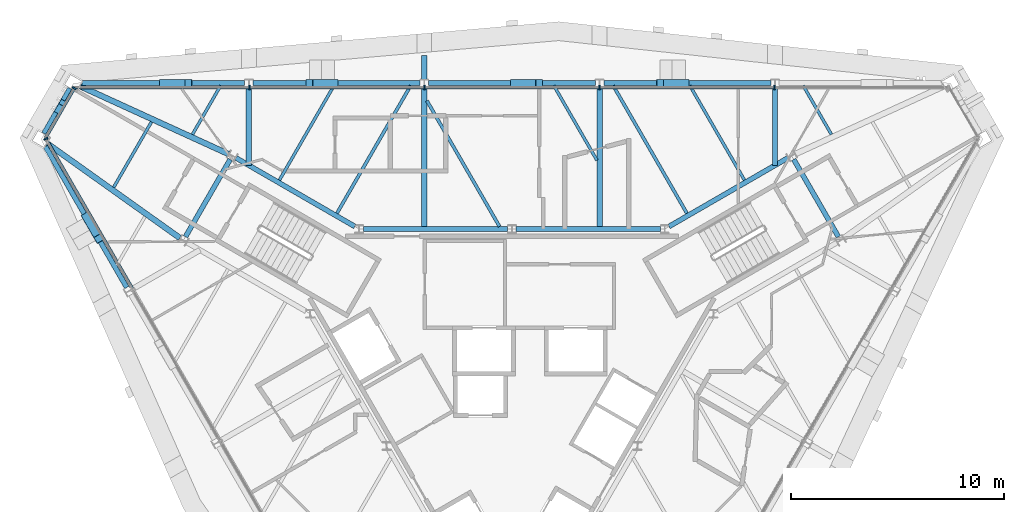
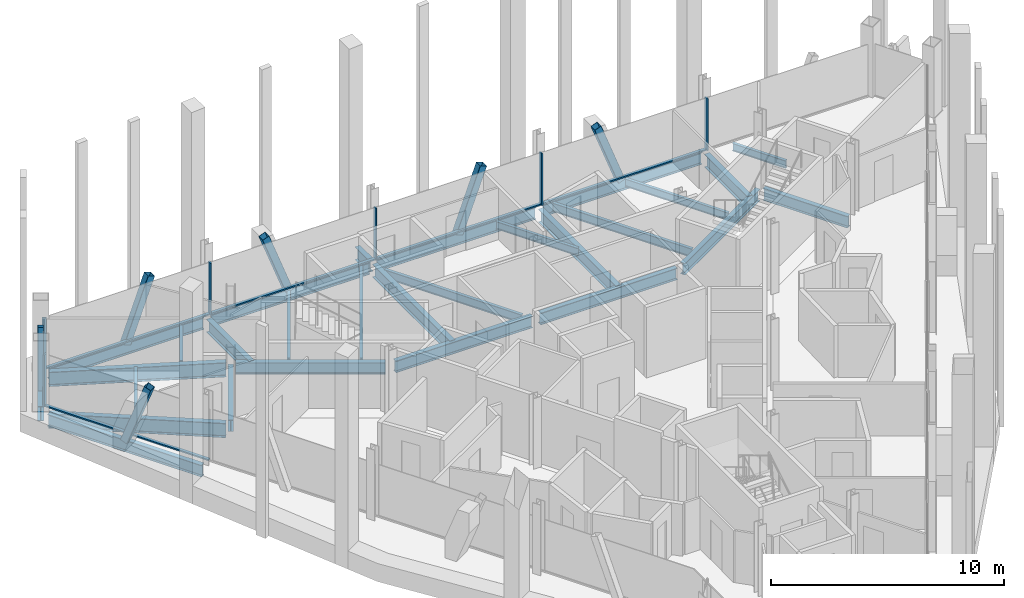
# One storey, part 5 of 13: 28 beams, 18 members, 3 elements without a shape of their own.
"""IFC4 building model written with IfcOpenShell, lengths in metres."""

from ifc_helpers import new_model, si_unit, direction, frame, origin, origin_2d, place, context, subcontext, project, spatial, rectangle, hollow_rectangle, i_section, extrude, material, material_profile, profile_set, type_object, element, aggregate, save


model = new_model("IFC4")

# Units and contexts
model_context = context("Model", 3, precision=1e-05, world=origin(), true_north=direction((0.0, 1.0)))
body_context = subcontext(model_context, "Body", "Model", "MODEL_VIEW")
ifc_project = project(units=[si_unit("LENGTHUNIT", "METRE"), si_unit("AREAUNIT", "SQUARE_METRE"), si_unit("VOLUMEUNIT", "CUBIC_METRE"), si_unit("PLANEANGLEUNIT", "RADIAN"), si_unit("MASSUNIT", "GRAM", prefix="KILO")], contexts=[model_context])

# Site, building, storey
site_placement = place(None, origin())
site = spatial("IfcSite", under=ifc_project, at=site_placement, CompositionType="ELEMENT")
building_placement = place(site_placement, origin())
building = spatial("IfcBuilding", under=site, at=building_placement, Name="Verrane Prism Tower", CompositionType="ELEMENT")
storey_placement = place(building_placement, frame((0.0, 0.0, 275.10009765625)))
storey = spatial("IfcBuildingStorey", under=building, at=storey_placement, Name="L69", CompositionType="ELEMENT", Elevation=275.10009765625)

# Member
ifc_material_1 = material(Name="Steel A500 Grade C", Category="steel")
ifc_material_profile_1 = material_profile(ifc_material_1, hollow_rectangle(XDim=0.25390625, YDim=0.25390625, WallThickness=0.009521484375, InnerFilletRadius=0.0048828125, OuterFilletRadius=0.014404296875, at=origin_2d()), Name="HSS10x10x3/8")
ifc_profile_set_1 = profile_set([ifc_material_profile_1], Name="Steel A500 Grade C")
member_type_1 = type_object("IfcMemberType", Name="Chamfer brace HSS10x10x3/8", PredefinedType="BRACE", material=ifc_profile_set_1)
member_1_placement = place(storey_placement, frame((-21.339599609375, 12.3701171875, -0.24267578125), z_axis=(0.067784448094, 0.117358148939, 0.990773603541), x_axis=(-0.865936922628, 0.500153222552, 0.0)))
element("IfcMember", 1, at=member_1_placement, inside=storey, type_object=member_type_1, Name="Chamfer brace NW0 L69", PredefinedType="BRACE", context=body_context, shape_type="SweptSolid", body=[
    extrude(hollow_rectangle(XDim=0.25390625, YDim=0.25390625, WallThickness=0.009521484375, InnerFilletRadius=0.0048828125, OuterFilletRadius=0.014404296875, at=origin_2d()), origin(), (0.0, 0.0, 1.0), 3.13720703125),
])

# Beams
ifc_material_2 = material(Name="Steel A992", Category="steel")
ifc_material_profile_2 = material_profile(ifc_material_2, i_section(OverallWidth=0.2666015625, OverallDepth=0.7568359375, WebThickness=0.013916015625, FlangeThickness=0.019287109375, FilletRadius=0.0166015625, at=origin_2d()), Name="W30x108")
ifc_profile_set_2 = profile_set([ifc_material_profile_2], Name="Steel A992")
beam_type_1 = type_object("IfcBeamType", Name="Chamfer spandrel beam W30x108", PredefinedType="SPANDREL", material=ifc_profile_set_2)
beam_1_placement = place(storey_placement, frame((-20.75, 13.390380859375, -0.53857421875), z_axis=(-0.500436097356, -0.865773476415, 0.0), x_axis=(0.865773476415, -0.500436097356, 0.0)))
element("IfcBeam", 2, at=beam_1_placement, inside=storey, type_object=beam_type_1, Name="Chamfer spandrel beam L69", PredefinedType="SPANDREL", context=body_context, shape_type="SweptSolid", body=[
    extrude(i_section(OverallWidth=0.2666015625, OverallDepth=0.7568359375, WebThickness=0.013916015625, FlangeThickness=0.019287109375, FilletRadius=0.0166015625, at=origin_2d()), origin(), (0.0, 0.0, 1.0), 2.437744140625),
])
ifc_material_3 = material(Name="Steel A992", Category="steel")
ifc_material_profile_3 = material_profile(ifc_material_3, i_section(OverallWidth=0.23046875, OverallDepth=0.6171875, WebThickness=0.01318359375, FlangeThickness=0.022216796875, FilletRadius=0.012939453125, at=origin_2d()), Name="W24x94")
ifc_profile_set_3 = profile_set([ifc_material_profile_3], Name="Steel A992")
beam_type_2 = type_object("IfcBeamType", Name="Core ring girder W24x94", PredefinedType="BEAM", material=ifc_profile_set_3)
beam_2_placement = place(storey_placement, frame((15.339599609375, 6.43359375, -0.55859375), z_axis=(-0.500306681185, 0.865848268903, 0.0), x_axis=(-0.865848268903, -0.500306681185, 0.0)))
element("IfcBeam", 3, at=beam_2_placement, inside=storey, type_object=beam_type_2, Name="Core ring girder L69", PredefinedType="BEAM", context=body_context, shape_type="SweptSolid", body=[
    extrude(i_section(OverallWidth=0.23046875, OverallDepth=0.6171875, WebThickness=0.01318359375, FlangeThickness=0.022216796875, FilletRadius=0.012939453125, at=origin_2d()), origin(), (0.0, 0.0, 1.0), 4.195556640625),
])
beam_3_placement = place(storey_placement, frame((12.96728515625, 10.140380859375, -0.55859375), z_axis=(-0.866080992722, -0.499903704773, 0.0), x_axis=(0.499903704773, -0.866080992722, 0.0)))
element("IfcBeam", 4, at=beam_3_placement, inside=storey, type_object=beam_type_2, Name="Core ring girder L69", PredefinedType="BEAM", context=body_context, shape_type="SweptSolid", body=[
    extrude(i_section(OverallWidth=0.23046875, OverallDepth=0.6171875, WebThickness=0.01318359375, FlangeThickness=0.022216796875, FilletRadius=0.012939453125, at=origin_2d()), origin(), (0.0, 0.0, 1.0), 6.451904296875),
])
for number, where, z_axis, x_axis, name in (
    (5, (6.980712890625, 6.800048828125, -0.55859375), (-1.0, 0.0, 0.0), (0.0, -1.0, 0.0), "Core ring girder L69"),
    (6, (-0.199462890625, 6.800048828125, -0.55859375), (-1.0, 0.0, 0.0), (0.0, -1.0, 0.0), "Core ring girder L69"),
):
    element("IfcBeam", number, at=place(storey_placement, frame(where, z_axis=z_axis, x_axis=x_axis)), inside=storey, type_object=beam_type_2, Name=name, PredefinedType="BEAM", context=body_context, shape_type="SweptSolid", body=[
        extrude(i_section(OverallWidth=0.23046875, OverallDepth=0.6171875, WebThickness=0.01318359375, FlangeThickness=0.022216796875, FilletRadius=0.012939453125, at=origin_2d()), origin(), (0.0, 0.0, 1.0), 6.78125),
    ])
beam_4_placement = place(storey_placement, frame((-7.37939453125, 6.9150390625, -0.55859375), z_axis=(-0.866080992722, 0.499903704773, 0.0), x_axis=(-0.499903704773, -0.866080992722, 0.0)))
element("IfcBeam", 7, at=beam_4_placement, inside=storey, type_object=beam_type_2, Name="Core ring girder L69", PredefinedType="BEAM", context=body_context, shape_type="SweptSolid", body=[
    extrude(i_section(OverallWidth=0.23046875, OverallDepth=0.6171875, WebThickness=0.01318359375, FlangeThickness=0.022216796875, FilletRadius=0.012939453125, at=origin_2d()), origin(), (0.0, 0.0, 1.0), 6.451904296875),
])
beam_5_placement = place(storey_placement, frame((-13.240478515625, 10.06640625, -0.55859375), z_axis=(-0.500306681185, -0.865848268903, 0.0), x_axis=(0.865848268903, -0.500306681185, 0.0)))
element("IfcBeam", 8, at=beam_5_placement, inside=storey, type_object=beam_type_2, Name="Core ring girder L69", PredefinedType="BEAM", context=body_context, shape_type="SweptSolid", body=[
    extrude(i_section(OverallWidth=0.23046875, OverallDepth=0.6171875, WebThickness=0.01318359375, FlangeThickness=0.022216796875, FilletRadius=0.012939453125, at=origin_2d()), origin(), (0.0, 0.0, 1.0), 4.195556640625),
])
ifc_material_4 = material(Name="Steel A992", Category="steel")
ifc_material_profile_4 = material_profile(ifc_material_4, i_section(OverallWidth=0.2666015625, OverallDepth=0.7568359375, WebThickness=0.013916015625, FlangeThickness=0.019287109375, FilletRadius=0.0166015625, at=origin_2d()), Name="W30x108")
ifc_profile_set_4 = profile_set([ifc_material_profile_4], Name="Steel A992")
beam_type_3 = type_object("IfcBeamType", Name="Corner girder W30x108", PredefinedType="BEAM", material=ifc_profile_set_4)
for number, where, z_axis, x_axis, name in (
    (9, (-20.2802734375, 13.50390625, -0.5986328125), (0.909481370613, -0.415744677065, 0.0), (0.415744677065, 0.909481370613, 0.0), "Corner girder L69"),
    (10, (-21.833740234375, 10.81591796875, -0.5986328125), (0.814401339816, -0.580302040067, 0.0), (0.580302040067, 0.814401339816, 0.0), "Corner girder L69"),
):
    element("IfcBeam", number, at=place(storey_placement, frame(where, z_axis=z_axis, x_axis=x_axis)), inside=storey, type_object=beam_type_3, Name=name, PredefinedType="BEAM", context=body_context, shape_type="SweptSolid", body=[
        extrude(i_section(OverallWidth=0.2666015625, OverallDepth=0.7568359375, WebThickness=0.013916015625, FlangeThickness=0.019287109375, FilletRadius=0.0166015625, at=origin_2d()), origin(), (0.0, 0.0, 1.0), 7.650634765625),
    ])

# Members
ifc_material_5 = material(Name="Steel A500 Grade C", Category="steel")
ifc_material_profile_5 = material_profile(ifc_material_5, hollow_rectangle(XDim=0.355712890625, YDim=0.355712890625, WallThickness=0.0126953125, InnerFilletRadius=0.00634765625, OuterFilletRadius=0.01904296875, at=origin_2d()), Name="HSS14x14x1/2")
ifc_profile_set_5 = profile_set([ifc_material_profile_5], Name="Steel A500 Grade C")
member_type_2 = type_object("IfcMemberType", Name="Facade brace HSS14x14x1/2", PredefinedType="BRACE", material=ifc_profile_set_5)
for number, where, z_axis, x_axis, name in (
    (11, (8.146484375, 13.64990234375, -0.216796875), (-0.347950987795, 0.0, 0.937512725296), (0.0, -1.0, 0.0), "Facade brace N1 L69"),
    (12, (0.093505859375, 13.64990234375, -0.216796875), (0.347950987795, 0.0, 0.937512725296), (0.0, 1.0, 0.0), "Facade brace N2 L69"),
    (13, (-8.33349609375, 13.64990234375, -0.216796875), (-0.347950987795, 0.0, 0.937512725296), (0.0, -1.0, 0.0), "Facade brace N3 L69"),
    (14, (-16.386474609375, 13.64990234375, -0.216796875), (0.347950987795, 0.0, 0.937512725296), (0.0, 1.0, 0.0), "Facade brace N4 L69"),
    (15, (-20.01318359375, 7.368896484375, -0.216796875), (0.173933329841, -0.301465343199, 0.937478449683), (0.866171884844, 0.499746201493, 0.0), "Facade brace SW0 L69"),
):
    element("IfcMember", number, at=place(storey_placement, frame(where, z_axis=z_axis, x_axis=x_axis)), inside=storey, type_object=member_type_2, Name=name, PredefinedType="BRACE", context=body_context, shape_type="SweptSolid", body=[
        extrude(hollow_rectangle(XDim=0.355712890625, YDim=0.355712890625, WallThickness=0.0126953125, InnerFilletRadius=0.00634765625, OuterFilletRadius=0.01904296875, at=origin_2d()), origin(), (0.0, 0.0, 1.0), 3.409423828125),
    ])

# Beams
ifc_material_6 = material(Name="Steel A992", Category="steel")
ifc_material_profile_6 = material_profile(ifc_material_6, i_section(OverallWidth=0.140380859375, OverallDepth=0.40380859375, WebThickness=0.007080078125, FlangeThickness=0.01123046875, FilletRadius=0.01025390625, at=origin_2d()), Name="W16x31")
ifc_profile_set_6 = profile_set([ifc_material_profile_6], Name="Steel A992")
beam_type_4 = type_object("IfcBeamType", Name="Floor beam W16x31", PredefinedType="BEAM", material=ifc_profile_set_6)
beam_6_placement = place(storey_placement, frame((15.01123046875, 11.2421875, -0.362060546875), z_axis=(-0.50007632508, 0.865981332994, 0.0), x_axis=(-0.865981332994, -0.50007632508, 0.0)))
element("IfcBeam", 16, at=beam_6_placement, inside=storey, type_object=beam_type_4, Name="Floor beam L69", PredefinedType="BEAM", context=body_context, shape_type="SweptSolid", body=[
    extrude(i_section(OverallWidth=0.140380859375, OverallDepth=0.40380859375, WebThickness=0.007080078125, FlangeThickness=0.01123046875, FilletRadius=0.01025390625, at=origin_2d()), origin(), (0.0, 0.0, 1.0), 2.6474609375),
])
beam_7_placement = place(storey_placement, frame((10.925048828125, 9.094482421875, -0.362060546875), z_axis=(-0.500005474671, 0.866022242959, 0.0), x_axis=(-0.866022242959, -0.500005474671, 0.0)))
element("IfcBeam", 17, at=beam_7_placement, inside=storey, type_object=beam_type_4, Name="Floor beam L69", PredefinedType="BEAM", context=body_context, shape_type="SweptSolid", body=[
    extrude(i_section(OverallWidth=0.140380859375, OverallDepth=0.40380859375, WebThickness=0.007080078125, FlangeThickness=0.01123046875, FilletRadius=0.01025390625, at=origin_2d()), origin(), (0.0, 0.0, 1.0), 5.12744140625),
])
beam_8_placement = place(storey_placement, frame((3.992919921875, 10.029296875, -0.362060546875), z_axis=(-0.499992196334, 0.866029909186, 0.0), x_axis=(-0.866029909186, -0.499992196334, 0.0)))
element("IfcBeam", 18, at=beam_8_placement, inside=storey, type_object=beam_type_4, Name="Floor beam L69", PredefinedType="BEAM", context=body_context, shape_type="SweptSolid", body=[
    extrude(i_section(OverallWidth=0.140380859375, OverallDepth=0.40380859375, WebThickness=0.007080078125, FlangeThickness=0.01123046875, FilletRadius=0.01025390625, at=origin_2d()), origin(), (0.0, 0.0, 1.0), 4.0478515625),
])
beam_9_placement = place(storey_placement, frame((-10.925048828125, 9.094482421875, -0.362060546875), z_axis=(0.500005474671, 0.866022242959, 0.0), x_axis=(-0.866022242959, 0.500005474671, 0.0)))
element("IfcBeam", 19, at=beam_9_placement, inside=storey, type_object=beam_type_4, Name="Floor beam L69", PredefinedType="BEAM", context=body_context, shape_type="SweptSolid", body=[
    extrude(i_section(OverallWidth=0.140380859375, OverallDepth=0.40380859375, WebThickness=0.007080078125, FlangeThickness=0.01123046875, FilletRadius=0.01025390625, at=origin_2d()), origin(), (0.0, 0.0, 1.0), 5.12744140625),
])
beam_10_placement = place(storey_placement, frame((-15.01123046875, 11.2421875, -0.362060546875), z_axis=(0.50007632508, 0.865981332994, 0.0), x_axis=(-0.865981332994, 0.50007632508, 0.0)))
element("IfcBeam", 20, at=beam_10_placement, inside=storey, type_object=beam_type_4, Name="Floor beam L69", PredefinedType="BEAM", context=body_context, shape_type="SweptSolid", body=[
    extrude(i_section(OverallWidth=0.140380859375, OverallDepth=0.40380859375, WebThickness=0.007080078125, FlangeThickness=0.01123046875, FilletRadius=0.01025390625, at=origin_2d()), origin(), (0.0, 0.0, 1.0), 2.6474609375),
])
beam_11_placement = place(storey_placement, frame((-18.712158203125, 8.755615234375, -0.362060546875), z_axis=(0.499986454343, 0.866033224232, 0.0), x_axis=(-0.866033224232, 0.499986454343, 0.0)))
element("IfcBeam", 21, at=beam_11_placement, inside=storey, type_object=beam_type_4, Name="Floor beam L69", PredefinedType="BEAM", context=body_context, shape_type="SweptSolid", body=[
    extrude(i_section(OverallWidth=0.140380859375, OverallDepth=0.40380859375, WebThickness=0.007080078125, FlangeThickness=0.01123046875, FilletRadius=0.01025390625, at=origin_2d()), origin(), (0.0, 0.0, 1.0), 3.548828125),
])
ifc_material_7 = material(Name="Steel A992", Category="steel")
ifc_material_profile_7 = material_profile(ifc_material_7, i_section(OverallWidth=0.15234375, OverallDepth=0.449462890625, WebThickness=0.007568359375, FlangeThickness=0.0107421875, FilletRadius=0.01025390625, at=origin_2d()), Name="W18x35")
ifc_profile_set_7 = profile_set([ifc_material_profile_7], Name="Steel A992")
beam_type_5 = type_object("IfcBeamType", Name="Floor beam W18x35", PredefinedType="BEAM", material=ifc_profile_set_7)
beam_12_placement = place(storey_placement, frame((8.22265625, 7.53466796875, -0.385009765625), z_axis=(-0.500012221024, 0.866018347858, 0.0), x_axis=(-0.866018347858, -0.500012221024, 0.0)))
element("IfcBeam", 22, at=beam_12_placement, inside=storey, type_object=beam_type_5, Name="Floor beam L69", PredefinedType="BEAM", context=body_context, shape_type="SweptSolid", body=[
    extrude(i_section(OverallWidth=0.15234375, OverallDepth=0.449462890625, WebThickness=0.007568359375, FlangeThickness=0.0107421875, FilletRadius=0.01025390625, at=origin_2d()), origin(), (0.0, 0.0, 1.0), 6.928466796875),
])
beam_13_placement = place(storey_placement, frame((-0.583251953125, 6.9150390625, -0.385009765625), z_axis=(-0.499997234054, 0.866027000698, 0.0), x_axis=(-0.866027000698, -0.499997234054, 0.0)))
element("IfcBeam", 23, at=beam_13_placement, inside=storey, type_object=beam_type_5, Name="Floor beam L69", PredefinedType="BEAM", context=body_context, shape_type="SweptSolid", body=[
    extrude(i_section(OverallWidth=0.15234375, OverallDepth=0.449462890625, WebThickness=0.007568359375, FlangeThickness=0.0107421875, FilletRadius=0.01025390625, at=origin_2d()), origin(), (0.0, 0.0, 1.0), 6.8193359375),
])
beam_14_placement = place(storey_placement, frame((-8.22265625, 7.53466796875, -0.385009765625), z_axis=(0.500012221024, 0.866018347858, 0.0), x_axis=(-0.866018347858, 0.500012221024, 0.0)))
element("IfcBeam", 24, at=beam_14_placement, inside=storey, type_object=beam_type_5, Name="Floor beam L69", PredefinedType="BEAM", context=body_context, shape_type="SweptSolid", body=[
    extrude(i_section(OverallWidth=0.15234375, OverallDepth=0.449462890625, WebThickness=0.007568359375, FlangeThickness=0.0107421875, FilletRadius=0.01025390625, at=origin_2d()), origin(), (0.0, 0.0, 1.0), 6.928466796875),
])

# Curtain wall, members
ifc_material_8 = material(Name="Aluminium framed insulated glazing", Category="aluminium")
curtain_wall_type = type_object("IfcCurtainWallType", Name="Curtain wall CW-A 8400 module", PredefinedType="NOTDEFINED", material=ifc_material_8)
curtain_wall_1_placement = place(storey_placement, origin())
curtain_wall_1 = element("IfcCurtainWall", 25, at=curtain_wall_1_placement, inside=storey, type_object=curtain_wall_type, Name="Glazed curtain wall north face L69", PredefinedType="NOTDEFINED")
ifc_material_9 = material(Name="Aluminium alloy 6063-T6", Category="aluminium")
ifc_material_profile_8 = material_profile(ifc_material_9, rectangle(XDim=0.199951171875, YDim=0.070068359375, at=origin_2d()), Name="Mullion 70x200 aluminium")
ifc_profile_set_8 = profile_set([ifc_material_profile_8], Name="Aluminium alloy 6063-T6")
member_type_3 = type_object("IfcMemberType", Name="Mullion 70x200 aluminium", PredefinedType="MULLION", material=ifc_profile_set_8)
member_2_placement = place(storey_placement, frame((12.32763671875, 13.447265625, 0.0), z_axis=(0.0, 0.0, 1.0), x_axis=(0.0, -1.0, 0.0)))
member_2 = element("IfcMember", 26, at=member_2_placement, type_object=member_type_3, Name="CW69.2 mullion 2", PredefinedType="MULLION", context=body_context, shape_type="SweptSolid", body=[
    extrude(rectangle(XDim=0.199951171875, YDim=0.070068359375, at=origin_2d()), origin(), (0.0, 0.0, 1.0), 2.722900390625),
])
member_3_placement = place(storey_placement, frame((4.109130859375, 13.447265625, 0.0), z_axis=(0.0, 0.0, 1.0), x_axis=(0.0, -1.0, 0.0)))
member_3 = element("IfcMember", 27, at=member_3_placement, type_object=member_type_3, Name="CW69.2 mullion 3", PredefinedType="MULLION", context=body_context, shape_type="SweptSolid", body=[
    extrude(rectangle(XDim=0.199951171875, YDim=0.070068359375, at=origin_2d()), origin(), (0.0, 0.0, 1.0), 2.722900390625),
])
member_4_placement = place(storey_placement, frame((-4.109130859375, 13.447265625, 0.0), z_axis=(0.0, 0.0, 1.0), x_axis=(0.0, -1.0, 0.0)))
member_4 = element("IfcMember", 28, at=member_4_placement, type_object=member_type_3, Name="CW69.2 mullion 4", PredefinedType="MULLION", context=body_context, shape_type="SweptSolid", body=[
    extrude(rectangle(XDim=0.199951171875, YDim=0.070068359375, at=origin_2d()), origin(), (0.0, 0.0, 1.0), 2.722900390625),
])
member_5_placement = place(storey_placement, frame((-12.32763671875, 13.447265625, 0.0), z_axis=(0.0, 0.0, 1.0), x_axis=(0.0, -1.0, 0.0)))
member_5 = element("IfcMember", 29, at=member_5_placement, type_object=member_type_3, Name="CW69.2 mullion 5", PredefinedType="MULLION", context=body_context, shape_type="SweptSolid", body=[
    extrude(rectangle(XDim=0.199951171875, YDim=0.070068359375, at=origin_2d()), origin(), (0.0, 0.0, 1.0), 2.722900390625),
])

# Curtain wall, member
curtain_wall_2_placement = place(storey_placement, origin())
curtain_wall_2 = element("IfcCurtainWall", 30, at=curtain_wall_2_placement, inside=storey, type_object=curtain_wall_type, Name="Glazed curtain wall north-west corner L69", PredefinedType="NOTDEFINED")
member_6_placement = place(storey_placement, frame((-20.563720703125, 13.4169921875, 0.0), z_axis=(0.0, 0.0, 1.0), x_axis=(0.866024225493, -0.500002040855, 0.0)))
member_6 = element("IfcMember", 31, at=member_6_placement, type_object=member_type_3, Name="CW69.3 mullion 1", PredefinedType="MULLION", context=body_context, shape_type="SweptSolid", body=[
    extrude(rectangle(XDim=0.199951171875, YDim=0.070068359375, at=origin_2d()), origin(), (0.0, 0.0, 1.0), 2.722900390625),
])

curtain_wall_3_placement = place(storey_placement, origin())
curtain_wall_3 = element("IfcCurtainWall", 32, at=curtain_wall_3_placement, inside=storey, type_object=curtain_wall_type, Name="Glazed curtain wall south-west face L69", PredefinedType="NOTDEFINED")
member_7_placement = place(storey_placement, frame((-21.901123046875, 11.03955078125, 0.0), z_axis=(0.0, 0.0, 1.0), x_axis=(0.866024861728, 0.500000938868, 0.0)))
member_7 = element("IfcMember", 33, at=member_7_placement, type_object=member_type_3, Name="CW69.4 mullion 1", PredefinedType="MULLION", context=body_context, shape_type="SweptSolid", body=[
    extrude(rectangle(XDim=0.199951171875, YDim=0.070068359375, at=origin_2d()), origin(), (0.0, 0.0, 1.0), 2.722900390625),
])

# Beams
ifc_material_10 = material(Name="Steel A992", Category="steel")
ifc_material_profile_9 = material_profile(ifc_material_10, i_section(OverallWidth=0.25390625, OverallDepth=0.683349609375, WebThickness=0.012451171875, FlangeThickness=0.01904296875, FilletRadius=0.01513671875, at=origin_2d()), Name="W27x94")
ifc_profile_set_9 = profile_set([ifc_material_profile_9], Name="Steel A992")
beam_type_6 = type_object("IfcBeamType", Name="Radial girder W27x94", PredefinedType="BEAM", material=ifc_profile_set_9)
beam_15_placement = place(storey_placement, frame((12.360107421875, 13.4619140625, -0.561767578125), z_axis=(0.0, -1.0, 0.0), x_axis=(1.0, 0.0, 0.0)))
element("IfcBeam", 34, at=beam_15_placement, inside=storey, type_object=beam_type_6, Name="Radial girder L69", PredefinedType="BEAM", context=body_context, shape_type="SweptSolid", body=[
    extrude(i_section(OverallWidth=0.25390625, OverallDepth=0.683349609375, WebThickness=0.012451171875, FlangeThickness=0.01904296875, FilletRadius=0.01513671875, at=origin_2d()), origin(), (0.0, 0.0, 1.0), 3.672119140625),
])
for number, where, z_axis, x_axis, name in (
    (35, (4.1201171875, 13.4619140625, -0.561767578125), (0.0, -1.0, 0.0), (1.0, 0.0, 0.0), "Radial girder L69"),
    (36, (-4.1201171875, 13.4619140625, -0.561767578125), (0.0, -1.0, 0.0), (1.0, 0.0, 0.0), "Radial girder L69"),
):
    element("IfcBeam", number, at=place(storey_placement, frame(where, z_axis=z_axis, x_axis=x_axis)), inside=storey, type_object=beam_type_6, Name=name, PredefinedType="BEAM", context=body_context, shape_type="SweptSolid", body=[
        extrude(i_section(OverallWidth=0.25390625, OverallDepth=0.683349609375, WebThickness=0.012451171875, FlangeThickness=0.01904296875, FilletRadius=0.01513671875, at=origin_2d()), origin(), (0.0, 0.0, 1.0), 6.661865234375),
    ])
beam_16_placement = place(storey_placement, frame((-12.360107421875, 13.4619140625, -0.561767578125), z_axis=(0.0, -1.0, 0.0), x_axis=(1.0, 0.0, 0.0)))
element("IfcBeam", 37, at=beam_16_placement, inside=storey, type_object=beam_type_6, Name="Radial girder L69", PredefinedType="BEAM", context=body_context, shape_type="SweptSolid", body=[
    extrude(i_section(OverallWidth=0.25390625, OverallDepth=0.683349609375, WebThickness=0.012451171875, FlangeThickness=0.01904296875, FilletRadius=0.01513671875, at=origin_2d()), origin(), (0.0, 0.0, 1.0), 3.672119140625),
])
beam_17_placement = place(storey_placement, frame((-4.1201171875, 13.833984375, -0.561767578125), z_axis=(0.0, 1.0, 0.0), x_axis=(-1.0, 0.0, 0.0)))
element("IfcBeam", 38, at=beam_17_placement, inside=storey, type_object=beam_type_6, Name="Cantilever girder L69", PredefinedType="BEAM", context=body_context, shape_type="SweptSolid", body=[
    extrude(i_section(OverallWidth=0.25390625, OverallDepth=0.683349609375, WebThickness=0.012451171875, FlangeThickness=0.01904296875, FilletRadius=0.01513671875, at=origin_2d()), origin(), (0.0, 0.0, 1.0), 1.126708984375),
])
ifc_material_11 = material(Name="Steel A992", Category="steel")
ifc_material_profile_10 = material_profile(ifc_material_11, i_section(OverallWidth=0.23046875, OverallDepth=0.6171875, WebThickness=0.01318359375, FlangeThickness=0.022216796875, FilletRadius=0.012939453125, at=origin_2d()), Name="W24x94")
ifc_profile_set_10 = profile_set([ifc_material_profile_10], Name="Steel A992")
beam_type_7 = type_object("IfcBeamType", Name="Spandrel beam W24x94", PredefinedType="SPANDREL", material=ifc_profile_set_10)
for number, where, z_axis, x_axis, name in (
    (39, (12.1630859375, 13.64990234375, -0.46875), (-1.0, 0.0, 0.0), (0.0, -1.0, 0.0), "Spandrel beam L69"),
    (40, (3.923095703125, 13.64990234375, -0.46875), (-1.0, 0.0, 0.0), (0.0, -1.0, 0.0), "Spandrel beam L69"),
    (41, (-4.31689453125, 13.64990234375, -0.46875), (-1.0, 0.0, 0.0), (0.0, -1.0, 0.0), "Spandrel beam L69"),
):
    element("IfcBeam", number, at=place(storey_placement, frame(where, z_axis=z_axis, x_axis=x_axis)), inside=storey, type_object=beam_type_7, Name=name, PredefinedType="SPANDREL", context=body_context, shape_type="SweptSolid", body=[
        extrude(i_section(OverallWidth=0.23046875, OverallDepth=0.6171875, WebThickness=0.01318359375, FlangeThickness=0.022216796875, FilletRadius=0.012939453125, at=origin_2d()), origin(), (0.0, 0.0, 1.0), 7.84619140625),
    ])
beam_18_placement = place(storey_placement, frame((-12.556884765625, 13.64990234375, -0.46875), z_axis=(-1.0, 0.0, 0.0), x_axis=(0.0, -1.0, 0.0)))
element("IfcBeam", 42, at=beam_18_placement, inside=storey, type_object=beam_type_7, Name="Spandrel beam L69", PredefinedType="SPANDREL", context=body_context, shape_type="SweptSolid", body=[
    extrude(i_section(OverallWidth=0.23046875, OverallDepth=0.6171875, WebThickness=0.01318359375, FlangeThickness=0.022216796875, FilletRadius=0.012939453125, at=origin_2d()), origin(), (0.0, 0.0, 1.0), 7.638916015625),
])
beam_19_placement = place(storey_placement, frame((-21.91796875, 10.669921875, -0.46875), z_axis=(0.499791590914, -0.866145695395, 0.0), x_axis=(0.866145695395, 0.499791590914, 0.0)))
element("IfcBeam", 43, at=beam_19_placement, inside=storey, type_object=beam_type_7, Name="Spandrel beam L69", PredefinedType="SPANDREL", context=body_context, shape_type="SweptSolid", body=[
    extrude(i_section(OverallWidth=0.23046875, OverallDepth=0.6171875, WebThickness=0.01318359375, FlangeThickness=0.022216796875, FilletRadius=0.012939453125, at=origin_2d()), origin(), (0.0, 0.0, 1.0), 7.642333984375),
])

# Member
ifc_material_12 = material(Name="Aluminium alloy 6063-T6", Category="aluminium")
ifc_material_profile_11 = material_profile(ifc_material_12, rectangle(XDim=0.14990234375, YDim=0.070068359375, at=origin_2d()), Name="Transom 70x150 aluminium")
ifc_profile_set_11 = profile_set([ifc_material_profile_11], Name="Aluminium alloy 6063-T6")
member_type_4 = type_object("IfcMemberType", Name="Transom 70x150 aluminium", PredefinedType="USERDEFINED", material=ifc_profile_set_11)
member_8_placement = place(storey_placement, frame((12.292724609375, 13.447265625, 0.034912109375), z_axis=(-1.0, 0.0, 0.0), x_axis=(0.0, -1.0, 0.0)))
member_8 = element("IfcMember", 44, at=member_8_placement, type_object=member_type_4, Name="CW69.2 transom 2", ObjectType="TRANSOM", PredefinedType="USERDEFINED", context=body_context, shape_type="SweptSolid", body=[
    extrude(rectangle(XDim=0.14990234375, YDim=0.070068359375, at=origin_2d()), origin(), (0.0, 0.0, 1.0), 8.1484375),
])

member_9_placement = place(storey_placement, frame((4.07421875, 13.447265625, 0.034912109375), z_axis=(-1.0, 0.0, 0.0), x_axis=(0.0, -1.0, 0.0)))
member_9 = element("IfcMember", 45, at=member_9_placement, type_object=member_type_4, Name="CW69.2 transom 3", ObjectType="TRANSOM", PredefinedType="USERDEFINED", context=body_context, shape_type="SweptSolid", body=[
    extrude(rectangle(XDim=0.14990234375, YDim=0.070068359375, at=origin_2d()), origin(), (0.0, 0.0, 1.0), 8.1484375),
])

member_10_placement = place(storey_placement, frame((-4.144287109375, 13.447265625, 0.034912109375), z_axis=(-1.0, 0.0, 0.0), x_axis=(0.0, -1.0, 0.0)))
member_10 = element("IfcMember", 46, at=member_10_placement, type_object=member_type_4, Name="CW69.2 transom 4", ObjectType="TRANSOM", PredefinedType="USERDEFINED", context=body_context, shape_type="SweptSolid", body=[
    extrude(rectangle(XDim=0.14990234375, YDim=0.070068359375, at=origin_2d()), origin(), (0.0, 0.0, 1.0), 8.1484375),
])

member_11_placement = place(storey_placement, frame((-12.362548828125, 13.447265625, 0.034912109375), z_axis=(-1.0, 0.0, 0.0), x_axis=(0.0, -1.0, 0.0)))
member_11 = element("IfcMember", 47, at=member_11_placement, type_object=member_type_4, Name="CW69.2 transom 5", ObjectType="TRANSOM", PredefinedType="USERDEFINED", context=body_context, shape_type="SweptSolid", body=[
    extrude(rectangle(XDim=0.14990234375, YDim=0.070068359375, at=origin_2d()), origin(), (0.0, 0.0, 1.0), 8.18359375),
])

aggregate(curtain_wall_1, [member_2, member_3, member_4, member_5, member_8, member_9, member_10, member_11])

member_12_placement = place(storey_placement, frame((-20.5810546875, 13.386474609375, 0.034912109375), z_axis=(-0.50003581814, -0.866004723184, 0.0), x_axis=(0.866004723184, -0.50003581814, 0.0)))
member_12 = element("IfcMember", 48, at=member_12_placement, type_object=member_type_4, Name="CW69.3 transom 1", ObjectType="TRANSOM", PredefinedType="USERDEFINED", context=body_context, shape_type="SweptSolid", body=[
    extrude(rectangle(XDim=0.14990234375, YDim=0.070068359375, at=origin_2d()), origin(), (0.0, 0.0, 1.0), 2.675048828125),
])

aggregate(curtain_wall_2, [member_6, member_12])

member_13_placement = place(storey_placement, frame((-21.8837890625, 11.00927734375, 0.034912109375), z_axis=(0.500006361831, -0.866021730749, 0.0), x_axis=(0.866021730749, 0.500006361831, 0.0)))
member_13 = element("IfcMember", 49, at=member_13_placement, type_object=member_type_4, Name="CW69.4 transom 1", ObjectType="TRANSOM", PredefinedType="USERDEFINED", context=body_context, shape_type="SweptSolid", body=[
    extrude(rectangle(XDim=0.14990234375, YDim=0.070068359375, at=origin_2d()), origin(), (0.0, 0.0, 1.0), 8.11376953125),
])

aggregate(curtain_wall_3, [member_7, member_13])

save(model, "model.ifc")
